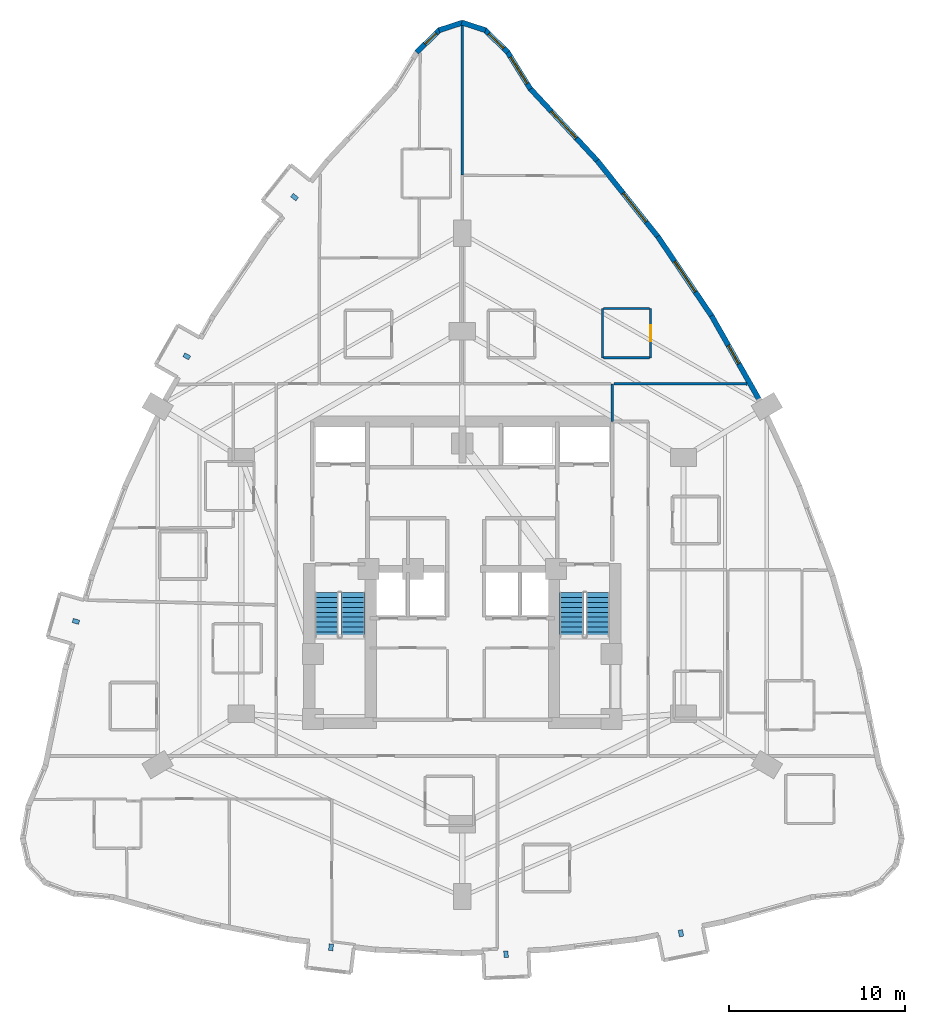
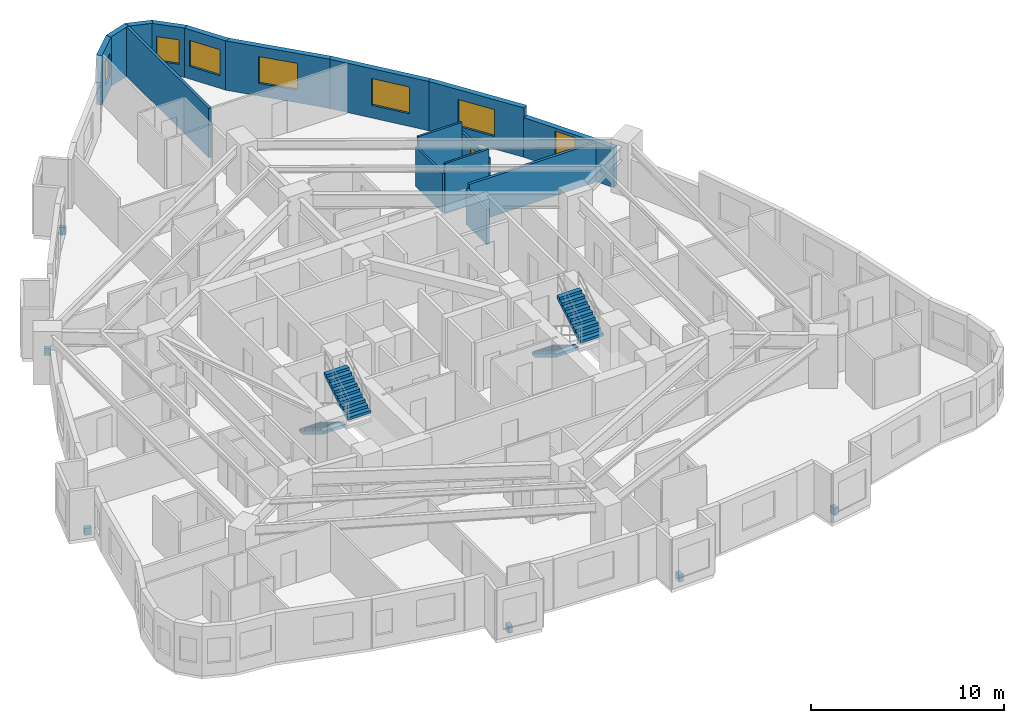
# One storey, part 14 of 15: 16 walls, 7 windows, 6 discrete accessories, 4 stair flights, 1 door, 8 openings, 2 elements without a shape of their own.
"""IFC4 building model written with IfcOpenShell, lengths in metres."""

from ifc_helpers import new_model, si_unit, direction, frame, frame_2d, origin, origin_2d, place, context, subcontext, project, spatial, polyline, rectangle, outline, extrude, material, layer, layer_set, type_object, element, fill, aggregate, save


model = new_model("IFC4")

# Units and contexts
model_context = context("Model", 3, precision=1e-05, world=origin(), true_north=direction((0.0, 1.0)))
body_context = subcontext(model_context, "Body", "Model", "MODEL_VIEW")
ifc_project = project(units=[si_unit("LENGTHUNIT", "METRE"), si_unit("AREAUNIT", "SQUARE_METRE"), si_unit("VOLUMEUNIT", "CUBIC_METRE"), si_unit("PLANEANGLEUNIT", "RADIAN"), si_unit("MASSUNIT", "GRAM", prefix="KILO")], contexts=[model_context])

# Site, building, storey
site_placement = place(None, origin())
site = spatial("IfcSite", under=ifc_project, at=site_placement, CompositionType="ELEMENT")
building_placement = place(site_placement, origin())
building = spatial("IfcBuilding", under=site, at=building_placement, Name="Miruveldt Soraemaru", CompositionType="ELEMENT")
storey_placement = place(building_placement, frame((0.0, 0.0, 32.60009765625)))
storey = spatial("IfcBuildingStorey", under=building, at=storey_placement, Name="L08", CompositionType="ELEMENT", Elevation=32.60009765625)

# Wall, opening, window
ifc_material_1 = material(Name="Precast concrete C45/55 (45 MPa)", Category="concrete")
ifc_layer_1 = layer(ifc_material_1, 0.300048828125, Name="Precast concrete C45/55 (45 MPa)", Category="concrete")
ifc_layer_set_1 = layer_set([ifc_layer_1], Name="Precast concrete C45/55 (45 MPa)")
wall_type_1 = type_object("IfcWallType", Name="WALL-EXT-PC300", PredefinedType="SOLIDWALL", material=ifc_layer_set_1)
wall_1_placement = place(storey_placement, frame((47.8857421875, 71.392578125, 0.0), z_axis=(0.0, 0.0, 1.0), x_axis=(-0.526057803578, 0.850448815212, 0.0)))
wall_1 = element("IfcWall", 1, at=wall_1_placement, inside=storey, type_object=wall_type_1, Name="L08 Precast Concrete Facade Wall 1", PredefinedType="SOLIDWALL", context=body_context, shape_type="SweptSolid", body=[
    extrude(rectangle(XDim=2.5205078125, YDim=0.300048828125, at=frame_2d((1.26025390625, 0.0))), origin(), (0.0, 0.0, 1.0), 3.125),
])
opening_1_placement = place(wall_1_placement, frame((0.360107421875, 0.0, 0.800048828125)))
opening_1 = element("IfcOpeningElement", 2, at=opening_1_placement, cuts=wall_1, Name="Opening WN-2", PredefinedType="OPENING", context=body_context, shape_type="SweptSolid", body=[
    extrude(rectangle(XDim=1.800048828125, YDim=1.64990234375, at=frame_2d((0.89990234375, 0.824951171875))), frame((0.0, 0.16015625, 0.0), z_axis=(0.0, -1.0, 0.0), x_axis=(1.0, 0.0, 0.0)), (0.0, 0.0, 1.0), 0.320068359375),
])
ifc_material_2 = material(Name="Triple low-e insulated glazing", Category="glass")
window_type_1 = type_object("IfcWindowType", Name="WIN-PUNCH-1800x1650", PartitioningType="SINGLE_PANEL", PredefinedType="WINDOW", material=ifc_material_2)
window_1_placement = place(opening_1_placement, origin())
window_1 = element("IfcWindow", 3, at=window_1_placement, inside=storey, type_object=window_type_1, Name="L08 Punched Triple-Glazed Window 01.1", OverallHeight=1.64990234375, OverallWidth=1.800048828125, PartitioningType="SINGLE_PANEL", PredefinedType="WINDOW", context=body_context, shape_type="SweptSolid", body=[
    extrude(rectangle(XDim=1.800048828125, YDim=1.64990234375, at=frame_2d((0.89990234375, 0.824951171875))), frame((0.0, 0.030029296875, 0.0), z_axis=(0.0, -1.0, 0.0), x_axis=(1.0, 0.0, 0.0)), (0.0, 0.0, 1.0), 0.06005859375),
])
fill(opening_1, window_1)

wall_2_placement = place(storey_placement, frame((46.603271484375, 73.48193359375, 0.0), z_axis=(0.0, 0.0, 1.0), x_axis=(-0.717753754605, 0.696297025521, 0.0)))
wall_2 = element("IfcWall", 4, at=wall_2_placement, inside=storey, type_object=wall_type_1, Name="L08 Precast Concrete Facade Wall 2", PredefinedType="SOLIDWALL", context=body_context, shape_type="SweptSolid", body=[
    extrude(rectangle(XDim=1.865966796875, YDim=0.300048828125, at=frame_2d((0.93310546875, 0.0))), origin(), (0.0, 0.0, 1.0), 3.125),
])
opening_2_placement = place(wall_2_placement, frame((0.3330078125, 0.0, 0.780029296875)))
opening_2 = element("IfcOpeningElement", 5, at=opening_2_placement, cuts=wall_2, Name="Opening WN-4", PredefinedType="OPENING", context=body_context, shape_type="SweptSolid", body=[
    extrude(rectangle(XDim=1.199951171875, YDim=1.550048828125, at=frame_2d((0.60009765625, 0.77490234375))), frame((0.0, 0.16015625, 0.0), z_axis=(0.0, -1.0, 0.0), x_axis=(1.0, 0.0, 0.0)), (0.0, 0.0, 1.0), 0.320068359375),
])
window_type_2 = type_object("IfcWindowType", Name="WIN-PUNCH-1200x1550", PartitioningType="SINGLE_PANEL", PredefinedType="WINDOW", material=ifc_material_2)
window_2_placement = place(opening_2_placement, origin())
window_2 = element("IfcWindow", 6, at=window_2_placement, inside=storey, type_object=window_type_2, Name="L08 Punched Triple-Glazed Window 02.1", OverallHeight=1.550048828125, OverallWidth=1.199951171875, PartitioningType="SINGLE_PANEL", PredefinedType="WINDOW", context=body_context, shape_type="SweptSolid", body=[
    extrude(rectangle(XDim=1.199951171875, YDim=1.550048828125, at=frame_2d((0.60009765625, 0.77490234375))), frame((0.0, 0.030029296875, 0.0), z_axis=(0.0, -1.0, 0.0), x_axis=(1.0, 0.0, 0.0)), (0.0, 0.0, 1.0), 0.06005859375),
])
fill(opening_2, window_2)

# Walls
for number, where, z_axis, x_axis, name in (
    (7, (45.322509765625, 74.74609375, 0.0), (0.0, 0.0, 1.0), (-0.951522717075, 0.307578475986, 0.0), "L08 Precast Concrete Facade Wall 3"),
    (8, (44.033203125, 75.184326171875, 0.0), (0.0, 0.0, 1.0), (-0.951522717075, -0.307578475986, 0.0), "L08 Precast Concrete Facade Wall 4"),
):
    element("IfcWall", number, at=place(storey_placement, frame(where, z_axis=z_axis, x_axis=x_axis)), inside=storey, type_object=wall_type_1, Name=name, PredefinedType="SOLIDWALL", context=body_context, shape_type="SweptSolid", body=[
        extrude(rectangle(XDim=1.4248046875, YDim=0.300048828125, at=frame_2d((0.71240234375, 0.0))), origin(), (0.0, 0.0, 1.0), 3.125),
    ])

# Wall, opening, window
wall_3_placement = place(storey_placement, frame((42.736083984375, 74.78125, 0.0), z_axis=(0.0, 0.0, 1.0), x_axis=(-0.717753754605, -0.696297025521, 0.0)))
wall_3 = element("IfcWall", 9, at=wall_3_placement, inside=storey, type_object=wall_type_1, Name="L08 Precast Concrete Facade Wall 5", PredefinedType="SOLIDWALL", context=body_context, shape_type="SweptSolid", body=[
    extrude(rectangle(XDim=1.865966796875, YDim=0.300048828125, at=frame_2d((0.93310546875, 0.0))), origin(), (0.0, 0.0, 1.0), 3.125),
])
opening_3_placement = place(wall_3_placement, frame((0.294921875, 0.0, 0.780029296875)))
opening_3 = element("IfcOpeningElement", 10, at=opening_3_placement, cuts=wall_3, Name="Opening WN-7", PredefinedType="OPENING", context=body_context, shape_type="SweptSolid", body=[
    extrude(rectangle(XDim=0.89990234375, YDim=1.5, at=frame_2d((0.449951171875, 0.75))), frame((0.0, 0.16015625, 0.0), z_axis=(0.0, -1.0, 0.0), x_axis=(1.0, 0.0, 0.0)), (0.0, 0.0, 1.0), 0.320068359375),
])
window_type_3 = type_object("IfcWindowType", Name="WIN-PUNCH-900x1500", PartitioningType="SINGLE_PANEL", PredefinedType="WINDOW", material=ifc_material_2)
window_3_placement = place(opening_3_placement, origin())
window_3 = element("IfcWindow", 11, at=window_3_placement, inside=storey, type_object=window_type_3, Name="L08 Punched Triple-Glazed Window 05.1", OverallHeight=1.5, OverallWidth=0.89990234375, PartitioningType="SINGLE_PANEL", PredefinedType="WINDOW", context=body_context, shape_type="SweptSolid", body=[
    extrude(rectangle(XDim=0.89990234375, YDim=1.5, at=frame_2d((0.449951171875, 0.75))), frame((0.0, 0.030029296875, 0.0), z_axis=(0.0, -1.0, 0.0), x_axis=(1.0, 0.0, 0.0)), (0.0, 0.0, 1.0), 0.06005859375),
])
fill(opening_3, window_3)

wall_4_placement = place(storey_placement, frame((60.915771484375, 53.69189453125, 0.0), z_axis=(0.0, 0.0, 1.0), x_axis=(-0.493368677129, 0.869820296629, 0.0)))
wall_4 = element("IfcWall", 12, at=wall_4_placement, inside=storey, type_object=wall_type_1, Name="L08 Precast Concrete Facade Wall 39", PredefinedType="SOLIDWALL", context=body_context, shape_type="SweptSolid", body=[
    extrude(rectangle(XDim=5.500244140625, YDim=0.300048828125, at=frame_2d((2.75, 0.0))), origin(), (0.0, 0.0, 1.0), 2.512939453125),
])
opening_4_placement = place(wall_4_placement, frame((2.35595703125, 0.0, 0.780029296875)))
opening_4 = element("IfcOpeningElement", 13, at=opening_4_placement, cuts=wall_4, Name="Opening WN-4", PredefinedType="OPENING", context=body_context, shape_type="SweptSolid", body=[
    extrude(rectangle(XDim=1.199951171875, YDim=1.550048828125, at=frame_2d((0.60009765625, 0.77490234375))), frame((0.0, 0.16015625, 0.0), z_axis=(0.0, -1.0, 0.0), x_axis=(1.0, 0.0, 0.0)), (0.0, 0.0, 1.0), 0.320068359375),
])
window_4_placement = place(opening_4_placement, origin())
window_4 = element("IfcWindow", 14, at=window_4_placement, inside=storey, type_object=window_type_2, Name="L08 Punched Triple-Glazed Window 39.1", OverallHeight=1.550048828125, OverallWidth=1.199951171875, PartitioningType="SINGLE_PANEL", PredefinedType="WINDOW", context=body_context, shape_type="SweptSolid", body=[
    extrude(rectangle(XDim=1.199951171875, YDim=1.550048828125, at=frame_2d((0.60009765625, 0.77490234375))), frame((0.0, 0.030029296875, 0.0), z_axis=(0.0, -1.0, 0.0), x_axis=(1.0, 0.0, 0.0)), (0.0, 0.0, 1.0), 0.06005859375),
])
fill(opening_4, window_4)

wall_5_placement = place(storey_placement, frame((58.239013671875, 58.416748046875, 0.0), z_axis=(0.0, 0.0, 1.0), x_axis=(-0.560813032948, 0.827942475101, 0.0)))
wall_5 = element("IfcWall", 15, at=wall_5_placement, inside=storey, type_object=wall_type_1, Name="L08 Precast Concrete Facade Wall 40", PredefinedType="SOLIDWALL", context=body_context, shape_type="SweptSolid", body=[
    extrude(rectangle(XDim=5.534912109375, YDim=0.300048828125, at=frame_2d((2.767578125, 0.0))), origin(), (0.0, 0.0, 1.0), 3.125),
])
opening_5_placement = place(wall_5_placement, frame((1.718017578125, 0.0, 0.800048828125)))
opening_5 = element("IfcOpeningElement", 16, at=opening_5_placement, cuts=wall_5, Name="Opening WN-1", PredefinedType="OPENING", context=body_context, shape_type="SweptSolid", body=[
    extrude(rectangle(XDim=2.10009765625, YDim=1.699951171875, at=frame_2d((1.050048828125, 0.85009765625))), frame((0.0, 0.16015625, 0.0), z_axis=(0.0, -1.0, 0.0), x_axis=(1.0, 0.0, 0.0)), (0.0, 0.0, 1.0), 0.320068359375),
])
window_type_4 = type_object("IfcWindowType", Name="WIN-PUNCH-2100x1700", PartitioningType="SINGLE_PANEL", PredefinedType="WINDOW", material=ifc_material_2)
window_5_placement = place(opening_5_placement, origin())
window_5 = element("IfcWindow", 17, at=window_5_placement, inside=storey, type_object=window_type_4, Name="L08 Punched Triple-Glazed Window 40.1", OverallHeight=1.699951171875, OverallWidth=2.10009765625, PartitioningType="SINGLE_PANEL", PredefinedType="WINDOW", context=body_context, shape_type="SweptSolid", body=[
    extrude(rectangle(XDim=2.10009765625, YDim=1.699951171875, at=frame_2d((1.050048828125, 0.85009765625))), frame((0.0, 0.030029296875, 0.0), z_axis=(0.0, -1.0, 0.0), x_axis=(1.0, 0.0, 0.0)), (0.0, 0.0, 1.0), 0.06005859375),
])
fill(opening_5, window_5)

wall_6_placement = place(storey_placement, frame((55.17626953125, 62.94287109375, 0.0), z_axis=(0.0, 0.0, 1.0), x_axis=(-0.623615831151, 0.781730960841, 0.0)))
wall_6 = element("IfcWall", 18, at=wall_6_placement, inside=storey, type_object=wall_type_1, Name="L08 Precast Concrete Facade Wall 41", PredefinedType="SOLIDWALL", context=body_context, shape_type="SweptSolid", body=[
    extrude(rectangle(XDim=5.603515625, YDim=0.300048828125, at=frame_2d((2.8017578125, 0.0))), origin(), (0.0, 0.0, 1.0), 3.125),
])
opening_6_placement = place(wall_6_placement, frame((1.126953125, 0.0, 0.800048828125)))
opening_6 = element("IfcOpeningElement", 19, at=opening_6_placement, cuts=wall_6, Name="Opening WN-1", PredefinedType="OPENING", context=body_context, shape_type="SweptSolid", body=[
    extrude(rectangle(XDim=2.10009765625, YDim=1.699951171875, at=frame_2d((1.050048828125, 0.85009765625))), frame((0.0, 0.16015625, 0.0), z_axis=(0.0, -1.0, 0.0), x_axis=(1.0, 0.0, 0.0)), (0.0, 0.0, 1.0), 0.320068359375),
])
window_6_placement = place(opening_6_placement, origin())
window_6 = element("IfcWindow", 20, at=window_6_placement, inside=storey, type_object=window_type_4, Name="L08 Punched Triple-Glazed Window 41.1", OverallHeight=1.699951171875, OverallWidth=2.10009765625, PartitioningType="SINGLE_PANEL", PredefinedType="WINDOW", context=body_context, shape_type="SweptSolid", body=[
    extrude(rectangle(XDim=2.10009765625, YDim=1.699951171875, at=frame_2d((1.050048828125, 0.85009765625))), frame((0.0, 0.030029296875, 0.0), z_axis=(0.0, -1.0, 0.0), x_axis=(1.0, 0.0, 0.0)), (0.0, 0.0, 1.0), 0.06005859375),
])
fill(opening_6, window_6)

wall_7_placement = place(storey_placement, frame((51.7275390625, 67.270263671875, 0.0), z_axis=(0.0, 0.0, 1.0), x_axis=(-0.680894211577, 0.732381780659, 0.0)))
wall_7 = element("IfcWall", 21, at=wall_7_placement, inside=storey, type_object=wall_type_1, Name="L08 Precast Concrete Facade Wall 42", PredefinedType="SOLIDWALL", context=body_context, shape_type="SweptSolid", body=[
    extrude(rectangle(XDim=5.704345703125, YDim=0.300048828125, at=frame_2d((2.85205078125, 0.0))), origin(), (0.0, 0.0, 1.0), 3.125),
])
opening_7_placement = place(wall_7_placement, frame((1.802001953125, 0.0, 0.800048828125)))
opening_7 = element("IfcOpeningElement", 22, at=opening_7_placement, cuts=wall_7, Name="Opening WN-1", PredefinedType="OPENING", context=body_context, shape_type="SweptSolid", body=[
    extrude(rectangle(XDim=2.10009765625, YDim=1.699951171875, at=frame_2d((1.050048828125, 0.85009765625))), frame((0.0, 0.16015625, 0.0), z_axis=(0.0, -1.0, 0.0), x_axis=(1.0, 0.0, 0.0)), (0.0, 0.0, 1.0), 0.320068359375),
])
window_7_placement = place(opening_7_placement, origin())
window_7 = element("IfcWindow", 23, at=window_7_placement, inside=storey, type_object=window_type_4, Name="L08 Punched Triple-Glazed Window 42.1", OverallHeight=1.699951171875, OverallWidth=2.10009765625, PartitioningType="SINGLE_PANEL", PredefinedType="WINDOW", context=body_context, shape_type="SweptSolid", body=[
    extrude(rectangle(XDim=2.10009765625, YDim=1.699951171875, at=frame_2d((1.050048828125, 0.85009765625))), frame((0.0, 0.030029296875, 0.0), z_axis=(0.0, -1.0, 0.0), x_axis=(1.0, 0.0, 0.0)), (0.0, 0.0, 1.0), 0.06005859375),
])
fill(opening_7, window_7)

# Wall, opening, door
ifc_material_3 = material(Name="Gypsum plasterboard lining", Category="gypsum")
ifc_layer_2 = layer(ifc_material_3, 0.1201171875, Name="Gypsum plasterboard lining", Category="gypsum")
ifc_layer_set_2 = layer_set([ifc_layer_2], Name="Gypsum plasterboard lining")
wall_type_2 = type_object("IfcWallType", Name="WALL-INT-P120", PredefinedType="PARTITIONING", material=ifc_layer_set_2)
wall_8_placement = place(storey_placement, frame((54.72998046875, 56.080078125, 0.0), z_axis=(0.0, 0.0, 1.0), x_axis=(0.0, 1.0, 0.0)))
wall_8 = element("IfcWall", 24, at=wall_8_placement, inside=storey, type_object=wall_type_2, Name="L08 Partition Wall 35", PredefinedType="PARTITIONING", context=body_context, shape_type="SweptSolid", body=[
    extrude(rectangle(XDim=2.7998046875, YDim=0.1201171875, at=frame_2d((1.39990234375, 0.0))), origin(), (0.0, 0.0, 1.0), 2.512939453125),
])
opening_8_placement = place(wall_8_placement, frame((0.93994140625, 0.0, 0.0)))
opening_8 = element("IfcOpeningElement", 25, at=opening_8_placement, cuts=wall_8, Name="Opening D3A", PredefinedType="OPENING", context=body_context, shape_type="SweptSolid", body=[
    extrude(rectangle(XDim=0.919921875, YDim=2.10009765625, at=frame_2d((0.4599609375, 1.050048828125))), frame((0.0, 0.070068359375, 0.0), z_axis=(0.0, -1.0, 0.0), x_axis=(1.0, 0.0, 0.0)), (0.0, 0.0, 1.0), 0.14013671875),
])
ifc_material_4 = material(Name="Anodised aluminium EN AW-6063 T6", Category="aluminium")
door_type = type_object("IfcDoorType", Name="DOOR-INT-920", OperationType="NOTDEFINED", PredefinedType="DOOR", material=ifc_material_4)
door_placement = place(opening_8_placement, origin())
door = element("IfcDoor", 26, at=door_placement, inside=storey, type_object=door_type, Name="L08 Unit CL03 KIT Door", OperationType="SINGLE_SWING_RIGHT", OverallHeight=2.10009765625, OverallWidth=0.919921875, PredefinedType="DOOR", context=body_context, shape_type="SweptSolid", body=[
    extrude(rectangle(XDim=0.919921875, YDim=2.10009765625, at=frame_2d((0.4599609375, 1.050048828125))), frame((0.0, 0.02490234375, 0.0), z_axis=(0.0, -1.0, 0.0), x_axis=(1.0, 0.0, 0.0)), (0.0, 0.0, 1.0), 0.050048828125),
])
fill(opening_8, door)

# Walls
wall_9_placement = place(storey_placement, frame((51.97998046875, 58.8798828125, 0.0), z_axis=(0.0, 0.0, 1.0), x_axis=(0.0, -1.0, 0.0)))
element("IfcWall", 27, at=wall_9_placement, inside=storey, type_object=wall_type_2, Name="L08 Partition Wall 37", PredefinedType="PARTITIONING", context=body_context, shape_type="SweptSolid", body=[
    extrude(rectangle(XDim=2.7998046875, YDim=0.1201171875, at=frame_2d((1.39990234375, 0.0))), origin(), (0.0, 0.0, 1.0), 2.512939453125),
])
for number, where, z_axis, x_axis, name in (
    (28, (54.669921875, 58.8798828125, 0.0), (0.0, 0.0, 1.0), (-1.0, 0.0, 0.0), "L08 Partition Wall 36"),
    (29, (52.0400390625, 56.080078125, 0.0), (0.0, 0.0, 1.0), (1.0, 0.0, 0.0), "L08 Partition Wall 38"),
):
    element("IfcWall", number, at=place(storey_placement, frame(where, z_axis=z_axis, x_axis=x_axis)), inside=storey, type_object=wall_type_2, Name=name, PredefinedType="PARTITIONING", context=body_context, shape_type="SweptSolid", body=[
        extrude(rectangle(XDim=2.6298828125, YDim=0.1201171875, at=frame_2d((1.31494140625, 0.0))), origin(), (0.0, 0.0, 1.0), 3.125),
    ])
ifc_material_5 = material(Name="Concrete C40/50 (40 MPa)", Category="concrete")
ifc_layer_3 = layer(ifc_material_5, 0.159912109375, Name="Concrete C40/50 (40 MPa)", Category="concrete")
ifc_layer_set_3 = layer_set([ifc_layer_3], Name="Concrete C40/50 (40 MPa)")
wall_type_3 = type_object("IfcWallType", Name="WALL-INT-RC160", PredefinedType="SOLIDWALL", material=ifc_layer_set_3)
wall_10_placement = place(storey_placement, frame((44.0, 66.48388671875, 0.0), z_axis=(0.0, 0.0, 1.0), x_axis=(0.0, 1.0, 0.0)))
element("IfcWall", 30, at=wall_10_placement, inside=storey, type_object=wall_type_3, Name="L08 Partition Wall 27", PredefinedType="SOLIDWALL", context=body_context, shape_type="SweptSolid", body=[
    extrude(rectangle(XDim=8.51611328125, YDim=0.159912109375, at=frame_2d((4.258056640625, 0.0))), origin(), (0.0, 0.0, 1.0), 3.125),
])
wall_11_placement = place(storey_placement, frame((52.633056640625, 54.60009765625, 0.0), z_axis=(0.0, 0.0, 1.0), x_axis=(0.999999867499, -0.000514783883, 0.0)))
element("IfcWall", 31, at=wall_11_placement, inside=storey, type_object=wall_type_3, Name="L08 Partition Wall 40", PredefinedType="SOLIDWALL", context=body_context, shape_type="SweptSolid", body=[
    extrude(rectangle(XDim=7.588134765625, YDim=0.159912109375, at=frame_2d((3.7939453125, 0.0))), origin(), (0.0, 0.0, 1.0), 2.512939453125),
])
wall_12_placement = place(storey_placement, frame((52.550048828125, 52.449951171875, 0.0), z_axis=(0.0, 0.0, 1.0), x_axis=(0.0, 1.0, 0.0)))
element("IfcWall", 32, at=wall_12_placement, inside=storey, type_object=wall_type_3, Name="L08 Partition Wall 8", PredefinedType="SOLIDWALL", context=body_context, shape_type="SweptSolid", body=[
    extrude(rectangle(XDim=2.14697265625, YDim=0.159912109375, at=frame_2d((1.073486328125, 0.0))), origin(), (0.0, 0.0, 1.0), 2.219970703125),
])

# Stair, stair flights
stair_type = type_object("IfcStairType", Name="STAIR-DL-340", PredefinedType="HALF_TURN_STAIR", material=ifc_material_5)
stair_1_placement = place(storey_placement, origin())
stair_1 = element("IfcStair", 33, at=stair_1_placement, inside=storey, type_object=stair_type, Name="L08 Protected Exit Stair ST-1", PredefinedType="HALF_TURN_STAIR")
stair_flight_type = type_object("IfcStairFlightType", Name="SFL-DL-340", PredefinedType="STRAIGHT", material=ifc_material_5)
stair_flight_1_placement = place(storey_placement, frame((36.27490234375, 42.699951171875, 0.0), z_axis=(0.0, 0.0, 1.0), x_axis=(0.0, -1.0, 0.0)))
stair_flight_1 = element("IfcStairFlight", 34, at=stair_flight_1_placement, type_object=stair_flight_type, Name="ST-1 flight 1", NumberOfRisers=10, NumberOfTreads=9, PredefinedType="STRAIGHT", RiserHeight=0.17, TreadLength=0.28, context=body_context, shape_type="SweptSolid", body=[
    extrude(outline(polyline([(0.0, 0.0), (0.0, 0.169921875), (0.280029296875, 0.169921875), (0.280029296875, 0.340087890625), (0.56005859375, 0.340087890625), (0.56005859375, 0.510009765625), (0.840087890625, 0.510009765625), (0.840087890625, 0.679931640625), (1.1201171875, 0.679931640625), (1.1201171875, 0.85009765625), (1.39990234375, 0.85009765625), (1.39990234375, 1.02001953125), (1.679931640625, 1.02001953125), (1.679931640625, 1.18994140625), (1.9599609375, 1.18994140625), (1.9599609375, 1.360107421875), (2.239990234375, 1.360107421875), (2.239990234375, 1.530029296875), (2.52001953125, 1.530029296875), (2.52001953125, 1.699951171875), (2.52001953125, 1.343017578125), (0.30810546875, 0.0), (0.0, 0.0)])), frame((0.0, 0.675048828125, 0.0), z_axis=(0.0, -1.0, 0.0), x_axis=(1.0, 0.0, 0.0)), (0.0, 0.0, 1.0), 1.35009765625),
])
stair_flight_2_placement = place(storey_placement, frame((37.77490234375, 40.179931640625, 1.699951171875), z_axis=(0.0, 0.0, 1.0), x_axis=(0.0, 1.0, 0.0)))
stair_flight_2 = element("IfcStairFlight", 35, at=stair_flight_2_placement, type_object=stair_flight_type, Name="ST-1 flight 2", NumberOfRisers=10, NumberOfTreads=9, PredefinedType="STRAIGHT", RiserHeight=0.17, TreadLength=0.28, context=body_context, shape_type="SweptSolid", body=[
    extrude(outline(polyline([(0.0, 0.0), (0.0, 0.169921875), (0.280029296875, 0.169921875), (0.280029296875, 0.340087890625), (0.56005859375, 0.340087890625), (0.56005859375, 0.510009765625), (0.840087890625, 0.510009765625), (0.840087890625, 0.679931640625), (1.1201171875, 0.679931640625), (1.1201171875, 0.85009765625), (1.39990234375, 0.85009765625), (1.39990234375, 1.02001953125), (1.679931640625, 1.02001953125), (1.679931640625, 1.18994140625), (1.9599609375, 1.18994140625), (1.9599609375, 1.360107421875), (2.239990234375, 1.360107421875), (2.239990234375, 1.530029296875), (2.52001953125, 1.530029296875), (2.52001953125, 1.699951171875), (2.52001953125, 1.343017578125), (0.30810546875, 0.0), (0.0, 0.0)])), frame((0.0, 0.675048828125, 0.0), z_axis=(0.0, -1.0, 0.0), x_axis=(1.0, 0.0, 0.0)), (0.0, 0.0, 1.0), 1.35009765625),
])
aggregate(stair_1, [stair_flight_1, stair_flight_2])

stair_2_placement = place(storey_placement, origin())
stair_2 = element("IfcStair", 36, at=stair_2_placement, inside=storey, type_object=stair_type, Name="L08 Protected Exit Stair ST-2", PredefinedType="HALF_TURN_STAIR")
stair_flight_3_placement = place(storey_placement, frame((50.22509765625, 42.699951171875, 0.0), z_axis=(0.0, 0.0, 1.0), x_axis=(0.0, -1.0, 0.0)))
stair_flight_3 = element("IfcStairFlight", 37, at=stair_flight_3_placement, type_object=stair_flight_type, Name="ST-2 flight 1", NumberOfRisers=10, NumberOfTreads=9, PredefinedType="STRAIGHT", RiserHeight=0.17, TreadLength=0.28, context=body_context, shape_type="SweptSolid", body=[
    extrude(outline(polyline([(0.0, 0.0), (0.0, 0.169921875), (0.280029296875, 0.169921875), (0.280029296875, 0.340087890625), (0.56005859375, 0.340087890625), (0.56005859375, 0.510009765625), (0.840087890625, 0.510009765625), (0.840087890625, 0.679931640625), (1.1201171875, 0.679931640625), (1.1201171875, 0.85009765625), (1.39990234375, 0.85009765625), (1.39990234375, 1.02001953125), (1.679931640625, 1.02001953125), (1.679931640625, 1.18994140625), (1.9599609375, 1.18994140625), (1.9599609375, 1.360107421875), (2.239990234375, 1.360107421875), (2.239990234375, 1.530029296875), (2.52001953125, 1.530029296875), (2.52001953125, 1.699951171875), (2.52001953125, 1.343017578125), (0.30810546875, 0.0), (0.0, 0.0)])), frame((0.0, 0.675048828125, 0.0), z_axis=(0.0, -1.0, 0.0), x_axis=(1.0, 0.0, 0.0)), (0.0, 0.0, 1.0), 1.35009765625),
])
stair_flight_4_placement = place(storey_placement, frame((51.72509765625, 40.179931640625, 1.699951171875), z_axis=(0.0, 0.0, 1.0), x_axis=(0.0, 1.0, 0.0)))
stair_flight_4 = element("IfcStairFlight", 38, at=stair_flight_4_placement, type_object=stair_flight_type, Name="ST-2 flight 2", NumberOfRisers=10, NumberOfTreads=9, PredefinedType="STRAIGHT", RiserHeight=0.17, TreadLength=0.28, context=body_context, shape_type="SweptSolid", body=[
    extrude(outline(polyline([(0.0, 0.0), (0.0, 0.169921875), (0.280029296875, 0.169921875), (0.280029296875, 0.340087890625), (0.56005859375, 0.340087890625), (0.56005859375, 0.510009765625), (0.840087890625, 0.510009765625), (0.840087890625, 0.679931640625), (1.1201171875, 0.679931640625), (1.1201171875, 0.85009765625), (1.39990234375, 0.85009765625), (1.39990234375, 1.02001953125), (1.679931640625, 1.02001953125), (1.679931640625, 1.18994140625), (1.9599609375, 1.18994140625), (1.9599609375, 1.360107421875), (2.239990234375, 1.360107421875), (2.239990234375, 1.530029296875), (2.52001953125, 1.530029296875), (2.52001953125, 1.699951171875), (2.52001953125, 1.343017578125), (0.30810546875, 0.0), (0.0, 0.0)])), frame((0.0, 0.675048828125, 0.0), z_axis=(0.0, -1.0, 0.0), x_axis=(1.0, 0.0, 0.0)), (0.0, 0.0, 1.0), 1.35009765625),
])
aggregate(stair_2, [stair_flight_3, stair_flight_4])

# Discrete accessories
ifc_material_6 = material(Name="Steel SM355 (355 MPa)", Category="steel")
discrete_accessory_type = type_object("IfcDiscreteAccessoryType", Name="ACC-BAY-BRK", PredefinedType="BRACKET", material=ifc_material_6)
for number, where, z_axis, x_axis, name in (
    (39, (34.44580078125, 65.23291015625, -0.72021484375), (0.0, 0.0, 1.0), (-0.781727315753, 0.623620400408, 0.0), "L08 Bay Window Cantilever Bracket 1"),
    (40, (28.302001953125, 56.162841796875, -0.72021484375), (0.0, 0.0, 1.0), (-0.869830943614, 0.493349905778, 0.0), "L08 Bay Window Cantilever Bracket 2"),
    (41, (21.986328125, 41.062744140625, -0.72021484375), (0.0, 0.0, 1.0), (-0.961449093633, 0.274982981932, 0.0), "L08 Bay Window Cantilever Bracket 3"),
    (42, (36.5224609375, 22.493896484375, -0.72021484375), (0.0, 0.0, 1.0), (-0.119149147143, -0.992876367296, 0.0), "L08 Bay Window Cantilever Bracket 4"),
    (43, (46.492431640625, 22.094970703125, -0.72021484375), (0.0, 0.0, 1.0), (0.03997483895, -0.999200686675, 0.0), "L08 Bay Window Cantilever Bracket 5"),
    (44, (56.4619140625, 23.291259765625, -0.72021484375), (0.0, 0.0, 1.0), (0.196100176415, -0.980583867301, 0.0), "L08 Bay Window Cantilever Bracket 6"),
):
    element("IfcDiscreteAccessory", number, at=place(storey_placement, frame(where, z_axis=z_axis, x_axis=x_axis)), inside=storey, type_object=discrete_accessory_type, Name=name, PredefinedType="BRACKET", context=body_context, shape_type="SweptSolid", body=[
        extrude(rectangle(XDim=0.3798828125, YDim=0.25, at=origin_2d()), origin(), (0.0, 0.0, 1.0), 0.449951171875),
    ])

save(model, "model.ifc")
